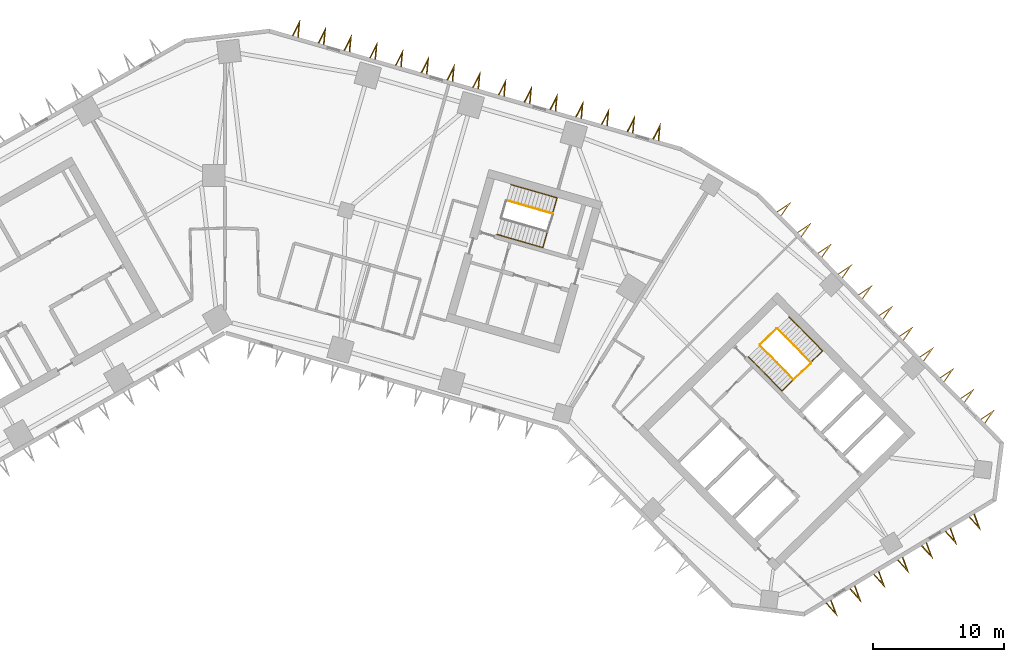
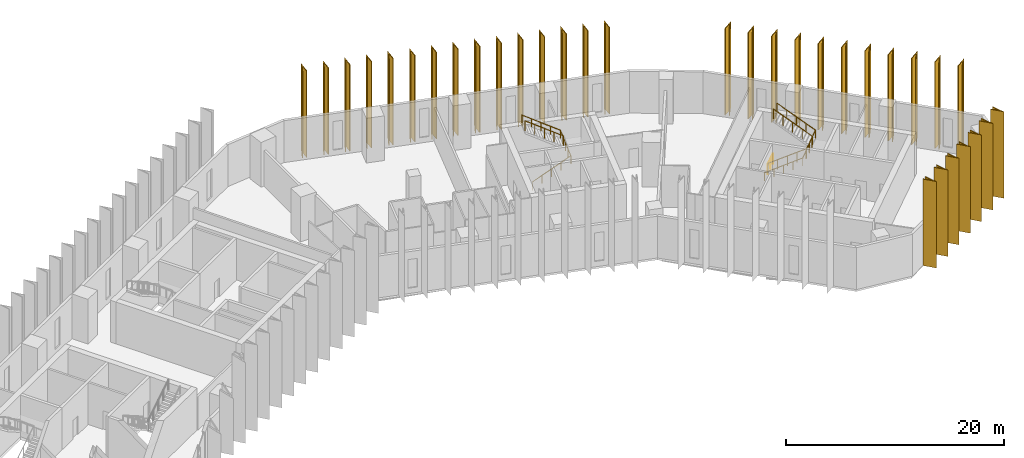
# One storey, part 11 of 11: 33 shading devices, 6 railings.
"""IFC4 building model written with IfcOpenShell, lengths in metres."""

from ifc_helpers import new_model, si_unit, direction, frame, origin, origin_2d, place, context, subcontext, project, spatial, polyline, circle, outline, extrude, material, type_object, element, save


model = new_model("IFC4")

# Units and contexts
model_context = context("Model", 3, precision=1e-05, world=origin(), true_north=direction((0.0, 1.0)))
body_context = subcontext(model_context, "Body", "Model", "MODEL_VIEW")
ifc_project = project(units=[si_unit("LENGTHUNIT", "METRE"), si_unit("AREAUNIT", "SQUARE_METRE"), si_unit("VOLUMEUNIT", "CUBIC_METRE"), si_unit("PLANEANGLEUNIT", "RADIAN"), si_unit("MASSUNIT", "GRAM", prefix="KILO")], contexts=[model_context])

# Site, building, storey
site_placement = place(None, origin())
site = spatial("IfcSite", under=ifc_project, at=site_placement, CompositionType="ELEMENT")
building_placement = place(site_placement, origin())
building = spatial("IfcBuilding", under=site, at=building_placement, Name="Binnacle Exchange Tower", CompositionType="ELEMENT")
storey_placement = place(building_placement, frame((0.0, 0.0, 66.5)))
storey = spatial("IfcBuildingStorey", under=building, at=storey_placement, Name="L13", CompositionType="ELEMENT", Elevation=66.5)

# Railings
ifc_material_1 = material(Name="Steel guard rail", Category="steel")
railing_type_1 = type_object("IfcRailingType", Name="STAIR GUARD 1100", PredefinedType="GUARDRAIL", material=ifc_material_1)
railing_1_placement = place(storey_placement, frame((40.822509765625, 47.046875, 0.178466796875)))
element("IfcRailing", 1, at=railing_1_placement, inside=storey, type_object=railing_type_1, Name="L13 STB1 stair guard 1", PredefinedType="GUARDRAIL", context=body_context, shape_type="SweptSolid", body=[
    extrude(circle(Radius=0.02392578125, at=origin_2d()), frame((0.0, 0.0, 1.076171875), z_axis=(0.590946962671, -0.60135215321, 0.537733461056), x_axis=(0.713250539553, 0.700909172309, 0.0)), (0.0, 0.0, 1.0), 4.317138671875),
    extrude(circle(Radius=0.02392578125, at=origin_2d()), frame((2.55126953125, -2.59619140625, 3.3974609375), z_axis=(0.732527851538, 0.680737061369, 0.0), x_axis=(-0.680737061369, 0.732527851538, 0.0)), (0.0, 0.0, 1.0), 1.80078125),
    extrude(circle(Radius=0.02099609375, at=origin_2d()), origin(), (0.0, 0.0, 1.0), 1.052001953125),
    extrude(circle(Radius=0.02099609375, at=origin_2d()), frame((0.6376953125, -0.64892578125, 0.580322265625)), (0.0, 0.0, 1.0), 1.052001953125),
    extrude(circle(Radius=0.02099609375, at=origin_2d()), frame((1.275634765625, -1.298095703125, 1.16064453125)), (0.0, 0.0, 1.0), 1.052001953125),
    extrude(circle(Radius=0.02099609375, at=origin_2d()), frame((1.91357421875, -1.947265625, 1.7412109375)), (0.0, 0.0, 1.0), 1.052001953125),
    extrude(circle(Radius=0.02099609375, at=origin_2d()), frame((2.55126953125, -2.59619140625, 2.321533203125)), (0.0, 0.0, 1.0), 1.052001953125),
    extrude(circle(Radius=0.02099609375, at=origin_2d()), frame((3.2109375, -1.9833984375, 2.321533203125)), (0.0, 0.0, 1.0), 1.052001953125),
    extrude(circle(Radius=0.02099609375, at=origin_2d()), frame((3.870361328125, -1.370361328125, 2.321533203125)), (0.0, 0.0, 1.0), 1.052001953125),
])
railing_2_placement = place(storey_placement, frame((44.693359375, 45.747314453125, 2.678466796875)))
element("IfcRailing", 2, at=railing_2_placement, inside=storey, type_object=railing_type_1, Name="L13 STB1 stair guard 2", PredefinedType="GUARDRAIL", context=body_context, shape_type="SweptSolid", body=[
    extrude(circle(Radius=0.02392578125, at=origin_2d()), frame((0.0, 0.0, 1.076171875), z_axis=(-0.590946962671, 0.60135215321, 0.537733461056), x_axis=(-0.713250539553, -0.700909172309, 0.0)), (0.0, 0.0, 1.0), 4.317138671875),
    extrude(circle(Radius=0.02099609375, at=origin_2d()), origin(), (0.0, 0.0, 1.0), 1.052001953125),
    extrude(circle(Radius=0.02099609375, at=origin_2d()), frame((-0.6376953125, 0.64892578125, 0.580322265625)), (0.0, 0.0, 1.0), 1.052001953125),
    extrude(circle(Radius=0.02099609375, at=origin_2d()), frame((-1.275634765625, 1.298095703125, 1.16064453125)), (0.0, 0.0, 1.0), 1.052001953125),
    extrude(circle(Radius=0.02099609375, at=origin_2d()), frame((-1.91357421875, 1.947265625, 1.7412109375)), (0.0, 0.0, 1.0), 1.052001953125),
    extrude(circle(Radius=0.02099609375, at=origin_2d()), frame((-2.55126953125, 2.59619140625, 2.321533203125)), (0.0, 0.0, 1.0), 1.052001953125),
])
railing_3_placement = place(storey_placement, frame((40.8232421875, 47.117431640625, 0.0)))
element("IfcRailing", 3, at=railing_3_placement, inside=storey, type_object=railing_type_1, Name="L13 STB1 stair guard 3", PredefinedType="GUARDRAIL", context=body_context, shape_type="SweptSolid", body=[
    extrude(circle(Radius=0.02392578125, at=origin_2d()), frame((0.0, 0.0, 1.076171875), z_axis=(0.713218950569, 0.700941316052, 0.0), x_axis=(-0.700941316052, 0.713218950569, 0.0)), (0.0, 0.0, 1.0), 1.75),
    extrude(circle(Radius=0.02099609375, at=origin_2d()), origin(), (0.0, 0.0, 1.0), 1.052001953125),
    extrude(circle(Radius=0.02099609375, at=origin_2d()), frame((0.6240234375, 0.61328125, 0.0)), (0.0, 0.0, 1.0), 1.052001953125),
    extrude(circle(Radius=0.02099609375, at=origin_2d()), frame((1.248046875, 1.2265625, 0.0)), (0.0, 0.0, 1.0), 1.052001953125),
])
railing_4_placement = place(storey_placement, frame((24.9853515625, 57.100830078125, 2.678466796875)))
element("IfcRailing", 4, at=railing_4_placement, inside=storey, type_object=railing_type_1, Name="L13 STD1 stair guard 2", PredefinedType="GUARDRAIL", context=body_context, shape_type="SweptSolid", body=[
    extrude(circle(Radius=0.02392578125, at=origin_2d()), frame((0.0, 0.0, 1.076171875), z_axis=(-0.810455892038, 0.232415135102, 0.537721537635), x_axis=(-0.275659984683, -0.961255206927, 0.0)), (0.0, 0.0, 1.0), 4.3173828125),
    extrude(circle(Radius=0.02099609375, at=origin_2d()), origin(), (0.0, 0.0, 1.0), 1.052001953125),
    extrude(circle(Radius=0.02099609375, at=origin_2d()), frame((-0.874755859375, 0.2509765625, 0.580322265625)), (0.0, 0.0, 1.0), 1.052001953125),
    extrude(circle(Radius=0.02099609375, at=origin_2d()), frame((-1.74951171875, 0.501708984375, 1.16064453125)), (0.0, 0.0, 1.0), 1.052001953125),
    extrude(circle(Radius=0.02099609375, at=origin_2d()), frame((-2.624267578125, 0.75244140625, 1.7412109375)), (0.0, 0.0, 1.0), 1.052001953125),
    extrude(circle(Radius=0.02099609375, at=origin_2d()), frame((-3.4990234375, 1.00341796875, 2.321533203125)), (0.0, 0.0, 1.0), 1.052001953125),
])
ifc_material_2 = material(Name="Steel handrail", Category="steel")
railing_type_2 = type_object("IfcRailingType", Name="STAIR HANDRAIL 900", PredefinedType="HANDRAIL", material=ifc_material_2)
railing_5_placement = place(storey_placement, frame((39.930908203125, 46.170654296875, 0.178466796875)))
element("IfcRailing", 5, at=railing_5_placement, inside=storey, type_object=railing_type_2, Name="L13 STB1 stair handrail 1", PredefinedType="HANDRAIL", context=body_context, shape_type="SweptSolid", body=[
    extrude(circle(Radius=0.02392578125, at=origin_2d()), frame((0.0, 0.0, 0.8759765625), z_axis=(0.590983762497, -0.601332057257, 0.53771549111), x_axis=(0.713217009097, 0.700943291525, 0.0)), (0.0, 0.0, 1.0), 4.3173828125),
    extrude(circle(Radius=0.02392578125, at=origin_2d()), frame((2.551513671875, -2.59619140625, 3.197265625), z_axis=(0.712654164256, 0.700316745611, 0.040993877406), x_axis=(-0.700905928746, 0.713253726978, 0.0)), (0.0, 0.0, 1.0), 4.353515625),
    extrude(circle(Radius=0.02392578125, at=origin_2d()), frame((5.654052734375, 0.45263671875, 3.3759765625), z_axis=(-0.590926866753, 0.601388251475, 0.537715174732), x_axis=(-0.713283488215, -0.700875641922, 0.0)), (0.0, 0.0, 1.0), 4.3173828125),
    extrude(circle(Radius=0.02099609375, at=origin_2d()), origin(), (0.0, 0.0, 1.0), 0.851806640625),
    extrude(circle(Radius=0.02099609375, at=origin_2d()), frame((0.637939453125, -0.64892578125, 0.580322265625)), (0.0, 0.0, 1.0), 0.851806640625),
    extrude(circle(Radius=0.02099609375, at=origin_2d()), frame((1.27587890625, -1.298095703125, 1.16064453125)), (0.0, 0.0, 1.0), 0.851806640625),
    extrude(circle(Radius=0.02099609375, at=origin_2d()), frame((1.91357421875, -1.947265625, 1.7412109375)), (0.0, 0.0, 1.0), 0.851806640625),
    extrude(circle(Radius=0.02099609375, at=origin_2d()), frame((2.551513671875, -2.59619140625, 2.321533203125)), (0.0, 0.0, 1.0), 0.851806640625),
    extrude(circle(Radius=0.02099609375, at=origin_2d()), frame((3.3271484375, -1.833984375, 2.3662109375)), (0.0, 0.0, 1.0), 0.851806640625),
    extrude(circle(Radius=0.02099609375, at=origin_2d()), frame((4.102783203125, -1.07177734375, 2.41064453125)), (0.0, 0.0, 1.0), 0.851806640625),
    extrude(circle(Radius=0.02099609375, at=origin_2d()), frame((4.87841796875, -0.3095703125, 2.455322265625)), (0.0, 0.0, 1.0), 0.851806640625),
    extrude(circle(Radius=0.02099609375, at=origin_2d()), frame((5.654052734375, 0.45263671875, 2.5)), (0.0, 0.0, 1.0), 0.851806640625),
    extrude(circle(Radius=0.02099609375, at=origin_2d()), frame((5.01611328125, 1.101806640625, 3.080322265625)), (0.0, 0.0, 1.0), 0.851806640625),
    extrude(circle(Radius=0.02099609375, at=origin_2d()), frame((4.37841796875, 1.7509765625, 3.66064453125)), (0.0, 0.0, 1.0), 0.851806640625),
    extrude(circle(Radius=0.02099609375, at=origin_2d()), frame((3.74072265625, 2.39990234375, 4.2412109375)), (0.0, 0.0, 1.0), 0.851806640625),
    extrude(circle(Radius=0.02099609375, at=origin_2d()), frame((3.102783203125, 3.049072265625, 4.821533203125)), (0.0, 0.0, 1.0), 0.851806640625),
])
railing_6_placement = place(storey_placement, frame((20.7421875, 55.5087890625, 0.178466796875)))
element("IfcRailing", 6, at=railing_6_placement, inside=storey, type_object=railing_type_2, Name="L13 STD1 stair handrail 1", PredefinedType="HANDRAIL", context=body_context, shape_type="SweptSolid", body=[
    extrude(circle(Radius=0.02392578125, at=origin_2d()), frame((0.0, 0.0, 0.8759765625), z_axis=(0.810436485383, -0.2324257871, 0.537746182368), x_axis=(0.27567775811, 0.961250109848, 0.0)), (0.0, 0.0, 1.0), 4.317138671875),
    extrude(circle(Radius=0.02392578125, at=origin_2d()), frame((3.498779296875, -1.00341796875, 3.197265625), z_axis=(0.275370676617, 0.960278056821, 0.045133624351), x_axis=(-0.961257617982, 0.275651576943, 0.0)), (0.0, 0.0, 1.0), 3.9541015625),
    extrude(circle(Radius=0.02392578125, at=origin_2d()), frame((4.587646484375, 2.793701171875, 3.3759765625), z_axis=(-0.810466542589, 0.232361639932, 0.537728604067), x_axis=(-0.275598008994, -0.961272977587, 0.0)), (0.0, 0.0, 1.0), 4.3173828125),
    extrude(circle(Radius=0.02099609375, at=origin_2d()), origin(), (0.0, 0.0, 1.0), 0.851806640625),
    extrude(circle(Radius=0.02099609375, at=origin_2d()), frame((0.874755859375, -0.2509765625, 0.580322265625)), (0.0, 0.0, 1.0), 0.851806640625),
    extrude(circle(Radius=0.02099609375, at=origin_2d()), frame((1.74951171875, -0.501708984375, 1.16064453125)), (0.0, 0.0, 1.0), 0.851806640625),
    extrude(circle(Radius=0.02099609375, at=origin_2d()), frame((2.6240234375, -0.75244140625, 1.7412109375)), (0.0, 0.0, 1.0), 0.851806640625),
    extrude(circle(Radius=0.02099609375, at=origin_2d()), frame((3.498779296875, -1.00341796875, 2.321533203125)), (0.0, 0.0, 1.0), 0.851806640625),
    extrude(circle(Radius=0.02099609375, at=origin_2d()), frame((3.77099609375, -0.05419921875, 2.3662109375)), (0.0, 0.0, 1.0), 0.851806640625),
    extrude(circle(Radius=0.02099609375, at=origin_2d()), frame((4.043212890625, 0.89501953125, 2.41064453125)), (0.0, 0.0, 1.0), 0.851806640625),
    extrude(circle(Radius=0.02099609375, at=origin_2d()), frame((4.3154296875, 1.844482421875, 2.455322265625)), (0.0, 0.0, 1.0), 0.851806640625),
    extrude(circle(Radius=0.02099609375, at=origin_2d()), frame((4.587646484375, 2.793701171875, 2.5)), (0.0, 0.0, 1.0), 0.851806640625),
    extrude(circle(Radius=0.02099609375, at=origin_2d()), frame((3.712890625, 3.04443359375, 3.080322265625)), (0.0, 0.0, 1.0), 0.851806640625),
    extrude(circle(Radius=0.02099609375, at=origin_2d()), frame((2.838134765625, 3.29541015625, 3.66064453125)), (0.0, 0.0, 1.0), 0.851806640625),
    extrude(circle(Radius=0.02099609375, at=origin_2d()), frame((1.96337890625, 3.546142578125, 4.2412109375)), (0.0, 0.0, 1.0), 0.851806640625),
    extrude(circle(Radius=0.02099609375, at=origin_2d()), frame((1.088623046875, 3.796875, 4.821533203125)), (0.0, 0.0, 1.0), 0.851806640625),
])

# Shading devices
ifc_material_3 = material(Name="Bronze aluminium cladding", Category="aluminium")
shading_device_type = type_object("IfcShadingDeviceType", Name="V FIN 1300 DEEP x 9680 HIGH", PredefinedType="USERDEFINED", material=ifc_material_3)
shading_device_1_placement = place(storey_placement, origin())
element("IfcShadingDevice", 7, at=shading_device_1_placement, inside=storey, type_object=shading_device_type, Name="V fin FN-F01-01 L13", ObjectType="FIN", PredefinedType="USERDEFINED", context=body_context, shape_type="SweptSolid", body=[
    extrude(outline(polyline([(33.107421875, 62.66259765625), (33.225341796875, 63.981201171875), (32.626708984375, 62.800537109375), (32.705078125, 62.778076171875), (33.108642578125, 63.573974609375), (33.029052734375, 62.68505859375), (33.107421875, 62.66259765625)])), origin(), (0.0, 0.0, 1.0), 9.679931640625),
])
shading_device_2_placement = place(storey_placement, origin())
element("IfcShadingDevice", 8, at=shading_device_2_placement, inside=storey, type_object=shading_device_type, Name="V fin FN-F01-02 L13", ObjectType="FIN", PredefinedType="USERDEFINED", context=body_context, shape_type="SweptSolid", body=[
    extrude(outline(polyline([(31.143310546875, 63.225830078125), (31.26123046875, 64.54443359375), (30.66259765625, 63.36376953125), (30.740966796875, 63.34130859375), (31.14453125, 64.13720703125), (31.06494140625, 63.248291015625), (31.143310546875, 63.225830078125)])), origin(), (0.0, 0.0, 1.0), 9.679931640625),
])
shading_device_3_placement = place(storey_placement, origin())
element("IfcShadingDevice", 9, at=shading_device_3_placement, inside=storey, type_object=shading_device_type, Name="V fin FN-F01-03 L13", ObjectType="FIN", PredefinedType="USERDEFINED", context=body_context, shape_type="SweptSolid", body=[
    extrude(outline(polyline([(29.17919921875, 63.7890625), (29.297119140625, 65.107666015625), (28.698486328125, 63.927001953125), (28.77685546875, 63.904541015625), (29.180419921875, 64.700439453125), (29.100830078125, 63.8115234375), (29.17919921875, 63.7890625)])), origin(), (0.0, 0.0, 1.0), 9.679931640625),
])
shading_device_4_placement = place(storey_placement, origin())
element("IfcShadingDevice", 10, at=shading_device_4_placement, inside=storey, type_object=shading_device_type, Name="V fin FN-F01-04 L13", ObjectType="FIN", PredefinedType="USERDEFINED", context=body_context, shape_type="SweptSolid", body=[
    extrude(outline(polyline([(27.215087890625, 64.352294921875), (27.3330078125, 65.6708984375), (26.734619140625, 64.489990234375), (26.812744140625, 64.4677734375), (27.21630859375, 65.263671875), (27.13671875, 64.374755859375), (27.215087890625, 64.352294921875)])), origin(), (0.0, 0.0, 1.0), 9.679931640625),
])
shading_device_5_placement = place(storey_placement, origin())
element("IfcShadingDevice", 11, at=shading_device_5_placement, inside=storey, type_object=shading_device_type, Name="V fin FN-F01-05 L13", ObjectType="FIN", PredefinedType="USERDEFINED", context=body_context, shape_type="SweptSolid", body=[
    extrude(outline(polyline([(25.2509765625, 64.91552734375), (25.368896484375, 66.23388671875), (24.7705078125, 65.05322265625), (24.8486328125, 65.031005859375), (25.252197265625, 65.826904296875), (25.172607421875, 64.93798828125), (25.2509765625, 64.91552734375)])), origin(), (0.0, 0.0, 1.0), 9.679931640625),
])
shading_device_6_placement = place(storey_placement, origin())
element("IfcShadingDevice", 12, at=shading_device_6_placement, inside=storey, type_object=shading_device_type, Name="V fin FN-F01-06 L13", ObjectType="FIN", PredefinedType="USERDEFINED", context=body_context, shape_type="SweptSolid", body=[
    extrude(outline(polyline([(23.287109375, 65.478515625), (23.405029296875, 66.797119140625), (22.806396484375, 65.616455078125), (22.884765625, 65.593994140625), (23.288330078125, 66.389892578125), (23.208740234375, 65.5009765625), (23.287109375, 65.478515625)])), origin(), (0.0, 0.0, 1.0), 9.679931640625),
])
shading_device_7_placement = place(storey_placement, origin())
element("IfcShadingDevice", 13, at=shading_device_7_placement, inside=storey, type_object=shading_device_type, Name="V fin FN-F01-07 L13", ObjectType="FIN", PredefinedType="USERDEFINED", context=body_context, shape_type="SweptSolid", body=[
    extrude(outline(polyline([(21.32275390625, 66.041748046875), (21.44091796875, 67.3603515625), (20.84228515625, 66.1796875), (20.92041015625, 66.1572265625), (21.32421875, 66.953125), (21.244384765625, 66.064208984375), (21.32275390625, 66.041748046875)])), origin(), (0.0, 0.0, 1.0), 9.679931640625),
])
shading_device_8_placement = place(storey_placement, origin())
element("IfcShadingDevice", 14, at=shading_device_8_placement, inside=storey, type_object=shading_device_type, Name="V fin FN-F01-08 L13", ObjectType="FIN", PredefinedType="USERDEFINED", context=body_context, shape_type="SweptSolid", body=[
    extrude(outline(polyline([(19.35888671875, 66.60498046875), (19.476806640625, 67.923583984375), (18.878173828125, 66.742919921875), (18.95654296875, 66.720458984375), (19.360107421875, 67.516357421875), (19.280517578125, 66.62744140625), (19.35888671875, 66.60498046875)])), origin(), (0.0, 0.0, 1.0), 9.679931640625),
])
shading_device_9_placement = place(storey_placement, origin())
element("IfcShadingDevice", 15, at=shading_device_9_placement, inside=storey, type_object=shading_device_type, Name="V fin FN-F01-09 L13", ObjectType="FIN", PredefinedType="USERDEFINED", context=body_context, shape_type="SweptSolid", body=[
    extrude(outline(polyline([(17.394775390625, 67.168212890625), (17.5126953125, 68.48681640625), (16.9140625, 67.305908203125), (16.992431640625, 67.28369140625), (17.39599609375, 68.07958984375), (17.31640625, 67.190673828125), (17.394775390625, 67.168212890625)])), origin(), (0.0, 0.0, 1.0), 9.679931640625),
])
shading_device_10_placement = place(storey_placement, origin())
element("IfcShadingDevice", 16, at=shading_device_10_placement, inside=storey, type_object=shading_device_type, Name="V fin FN-F01-10 L13", ObjectType="FIN", PredefinedType="USERDEFINED", context=body_context, shape_type="SweptSolid", body=[
    extrude(outline(polyline([(15.4306640625, 67.7314453125), (15.548583984375, 69.0498046875), (14.949951171875, 67.869140625), (15.0283203125, 67.8466796875), (15.431884765625, 68.642578125), (15.352294921875, 67.75390625), (15.4306640625, 67.7314453125)])), origin(), (0.0, 0.0, 1.0), 9.679931640625),
])
shading_device_11_placement = place(storey_placement, origin())
element("IfcShadingDevice", 17, at=shading_device_11_placement, inside=storey, type_object=shading_device_type, Name="V fin FN-F01-11 L13", ObjectType="FIN", PredefinedType="USERDEFINED", context=body_context, shape_type="SweptSolid", body=[
    extrude(outline(polyline([(13.466552734375, 68.294677734375), (13.58447265625, 69.613037109375), (12.98583984375, 68.432373046875), (13.064208984375, 68.409912109375), (13.4677734375, 69.205810546875), (13.38818359375, 68.31689453125), (13.466552734375, 68.294677734375)])), origin(), (0.0, 0.0, 1.0), 9.679931640625),
])
shading_device_12_placement = place(storey_placement, origin())
element("IfcShadingDevice", 18, at=shading_device_12_placement, inside=storey, type_object=shading_device_type, Name="V fin FN-F01-12 L13", ObjectType="FIN", PredefinedType="USERDEFINED", context=body_context, shape_type="SweptSolid", body=[
    extrude(outline(polyline([(11.50244140625, 68.85791015625), (11.620361328125, 70.17626953125), (11.021728515625, 68.99560546875), (11.10009765625, 68.97314453125), (11.503662109375, 69.76904296875), (11.424072265625, 68.880126953125), (11.50244140625, 68.85791015625)])), origin(), (0.0, 0.0, 1.0), 9.679931640625),
])
shading_device_13_placement = place(storey_placement, origin())
element("IfcShadingDevice", 19, at=shading_device_13_placement, inside=storey, type_object=shading_device_type, Name="V fin FN-F01-13 L13", ObjectType="FIN", PredefinedType="USERDEFINED", context=body_context, shape_type="SweptSolid", body=[
    extrude(outline(polyline([(9.538330078125, 69.4208984375), (9.65625, 70.739501953125), (9.0576171875, 69.558837890625), (9.135986328125, 69.536376953125), (9.53955078125, 70.332275390625), (9.4599609375, 69.443359375), (9.538330078125, 69.4208984375)])), origin(), (0.0, 0.0, 1.0), 9.679931640625),
])
shading_device_14_placement = place(storey_placement, origin())
element("IfcShadingDevice", 20, at=shading_device_14_placement, inside=storey, type_object=shading_device_type, Name="V fin FN-F01-14 L13", ObjectType="FIN", PredefinedType="USERDEFINED", context=body_context, shape_type="SweptSolid", body=[
    extrude(outline(polyline([(7.57421875, 69.984130859375), (7.6923828125, 71.302734375), (7.09375, 70.1220703125), (7.172119140625, 70.099609375), (7.57568359375, 70.8955078125), (7.49609375, 70.006591796875), (7.57421875, 69.984130859375)])), origin(), (0.0, 0.0, 1.0), 9.679931640625),
])
shading_device_15_placement = place(storey_placement, origin())
element("IfcShadingDevice", 21, at=shading_device_15_placement, inside=storey, type_object=shading_device_type, Name="V fin FN-F01-15 L13", ObjectType="FIN", PredefinedType="USERDEFINED", context=body_context, shape_type="SweptSolid", body=[
    extrude(outline(polyline([(5.610107421875, 70.54736328125), (5.72802734375, 71.865966796875), (5.12939453125, 70.685302734375), (5.207763671875, 70.662841796875), (5.611328125, 71.458740234375), (5.53173828125, 70.56982421875), (5.610107421875, 70.54736328125)])), origin(), (0.0, 0.0, 1.0), 9.679931640625),
])
shading_device_16_placement = place(storey_placement, origin())
element("IfcShadingDevice", 22, at=shading_device_16_placement, inside=storey, type_object=shading_device_type, Name="V fin FN-F11-01 L13", ObjectType="FIN", PredefinedType="USERDEFINED", context=body_context, shape_type="SweptSolid", body=[
    extrude(outline(polyline([(45.82861328125, 27.361572265625), (46.71240234375, 26.376220703125), (46.257080078125, 27.619140625), (46.187255859375, 27.5771484375), (46.494140625, 26.7392578125), (45.898193359375, 27.403564453125), (45.82861328125, 27.361572265625)])), origin(), (0.0, 0.0, 1.0), 9.679931640625),
])
shading_device_17_placement = place(storey_placement, origin())
element("IfcShadingDevice", 23, at=shading_device_17_placement, inside=storey, type_object=shading_device_type, Name="V fin FN-F11-02 L13", ObjectType="FIN", PredefinedType="USERDEFINED", context=body_context, shape_type="SweptSolid", body=[
    extrude(outline(polyline([(47.64990234375, 28.4560546875), (48.53369140625, 27.470458984375), (48.07861328125, 28.713623046875), (48.0087890625, 28.671630859375), (48.315673828125, 27.83349609375), (47.7197265625, 28.498046875), (47.64990234375, 28.4560546875)])), origin(), (0.0, 0.0, 1.0), 9.679931640625),
])
shading_device_18_placement = place(storey_placement, origin())
element("IfcShadingDevice", 24, at=shading_device_18_placement, inside=storey, type_object=shading_device_type, Name="V fin FN-F11-03 L13", ObjectType="FIN", PredefinedType="USERDEFINED", context=body_context, shape_type="SweptSolid", body=[
    extrude(outline(polyline([(49.471435546875, 29.550537109375), (50.355224609375, 28.56494140625), (49.900146484375, 29.80810546875), (49.830322265625, 29.76611328125), (50.13720703125, 28.927978515625), (49.541259765625, 29.592529296875), (49.471435546875, 29.550537109375)])), origin(), (0.0, 0.0, 1.0), 9.679931640625),
])
shading_device_19_placement = place(storey_placement, origin())
element("IfcShadingDevice", 25, at=shading_device_19_placement, inside=storey, type_object=shading_device_type, Name="V fin FN-F11-04 L13", ObjectType="FIN", PredefinedType="USERDEFINED", context=body_context, shape_type="SweptSolid", body=[
    extrude(outline(polyline([(51.29296875, 30.64501953125), (52.1767578125, 29.659423828125), (51.7216796875, 30.902587890625), (51.65185546875, 30.860595703125), (51.958740234375, 30.0224609375), (51.36279296875, 30.68701171875), (51.29296875, 30.64501953125)])), origin(), (0.0, 0.0, 1.0), 9.679931640625),
])
shading_device_20_placement = place(storey_placement, origin())
element("IfcShadingDevice", 26, at=shading_device_20_placement, inside=storey, type_object=shading_device_type, Name="V fin FN-F11-05 L13", ObjectType="FIN", PredefinedType="USERDEFINED", context=body_context, shape_type="SweptSolid", body=[
    extrude(outline(polyline([(53.114501953125, 31.739501953125), (53.998291015625, 30.75390625), (53.543212890625, 31.9970703125), (53.473388671875, 31.955078125), (53.7802734375, 31.116943359375), (53.184326171875, 31.781494140625), (53.114501953125, 31.739501953125)])), origin(), (0.0, 0.0, 1.0), 9.679931640625),
])
shading_device_21_placement = place(storey_placement, origin())
element("IfcShadingDevice", 27, at=shading_device_21_placement, inside=storey, type_object=shading_device_type, Name="V fin FN-F11-06 L13", ObjectType="FIN", PredefinedType="USERDEFINED", context=body_context, shape_type="SweptSolid", body=[
    extrude(outline(polyline([(54.935791015625, 32.833984375), (55.819580078125, 31.848388671875), (55.364501953125, 33.091552734375), (55.294677734375, 33.049560546875), (55.6015625, 32.21142578125), (55.005615234375, 32.8759765625), (54.935791015625, 32.833984375)])), origin(), (0.0, 0.0, 1.0), 9.679931640625),
])
shading_device_22_placement = place(storey_placement, origin())
element("IfcShadingDevice", 28, at=shading_device_22_placement, inside=storey, type_object=shading_device_type, Name="V fin FN-F11-07 L13", ObjectType="FIN", PredefinedType="USERDEFINED", context=body_context, shape_type="SweptSolid", body=[
    extrude(outline(polyline([(56.75732421875, 33.92822265625), (57.64111328125, 32.94287109375), (57.18603515625, 34.185791015625), (57.1162109375, 34.143798828125), (57.423095703125, 33.305908203125), (56.8271484375, 33.97021484375), (56.75732421875, 33.92822265625)])), origin(), (0.0, 0.0, 1.0), 9.679931640625),
])
shading_device_23_placement = place(storey_placement, origin())
element("IfcShadingDevice", 29, at=shading_device_23_placement, inside=storey, type_object=shading_device_type, Name="V fin FN-F13-01 L13", ObjectType="FIN", PredefinedType="USERDEFINED", context=body_context, shape_type="SweptSolid", body=[
    extrude(outline(polyline([(57.990478515625, 41.087890625), (58.742431640625, 42.177490234375), (57.64013671875, 41.444580078125), (57.697265625, 41.386474609375), (58.4404296875, 41.880615234375), (57.933349609375, 41.14599609375), (57.990478515625, 41.087890625)])), origin(), (0.0, 0.0, 1.0), 9.679931640625),
])
shading_device_24_placement = place(storey_placement, origin())
element("IfcShadingDevice", 30, at=shading_device_24_placement, inside=storey, type_object=shading_device_type, Name="V fin FN-F13-02 L13", ObjectType="FIN", PredefinedType="USERDEFINED", context=body_context, shape_type="SweptSolid", body=[
    extrude(outline(polyline([(56.435791015625, 42.669921875), (57.18798828125, 43.759521484375), (56.08544921875, 43.026611328125), (56.142578125, 42.968505859375), (56.8857421875, 43.46240234375), (56.37890625, 42.72802734375), (56.435791015625, 42.669921875)])), origin(), (0.0, 0.0, 1.0), 9.679931640625),
])
shading_device_25_placement = place(storey_placement, origin())
element("IfcShadingDevice", 31, at=shading_device_25_placement, inside=storey, type_object=shading_device_type, Name="V fin FN-F13-03 L13", ObjectType="FIN", PredefinedType="USERDEFINED", context=body_context, shape_type="SweptSolid", body=[
    extrude(outline(polyline([(54.881103515625, 44.251953125), (55.63330078125, 45.34130859375), (54.53076171875, 44.6083984375), (54.587890625, 44.55029296875), (55.3310546875, 45.04443359375), (54.82421875, 44.31005859375), (54.881103515625, 44.251953125)])), origin(), (0.0, 0.0, 1.0), 9.679931640625),
])
shading_device_26_placement = place(storey_placement, origin())
element("IfcShadingDevice", 32, at=shading_device_26_placement, inside=storey, type_object=shading_device_type, Name="V fin FN-F13-04 L13", ObjectType="FIN", PredefinedType="USERDEFINED", context=body_context, shape_type="SweptSolid", body=[
    extrude(outline(polyline([(53.32666015625, 45.833984375), (54.07861328125, 46.92333984375), (52.976318359375, 46.1904296875), (53.033203125, 46.13232421875), (53.776611328125, 46.62646484375), (53.26953125, 45.89208984375), (53.32666015625, 45.833984375)])), origin(), (0.0, 0.0, 1.0), 9.679931640625),
])
shading_device_27_placement = place(storey_placement, origin())
element("IfcShadingDevice", 33, at=shading_device_27_placement, inside=storey, type_object=shading_device_type, Name="V fin FN-F13-05 L13", ObjectType="FIN", PredefinedType="USERDEFINED", context=body_context, shape_type="SweptSolid", body=[
    extrude(outline(polyline([(51.77197265625, 47.416015625), (52.52392578125, 48.50537109375), (51.421630859375, 47.7724609375), (51.478759765625, 47.71435546875), (52.221923828125, 48.20849609375), (51.71484375, 47.47412109375), (51.77197265625, 47.416015625)])), origin(), (0.0, 0.0, 1.0), 9.679931640625),
])
shading_device_28_placement = place(storey_placement, origin())
element("IfcShadingDevice", 34, at=shading_device_28_placement, inside=storey, type_object=shading_device_type, Name="V fin FN-F13-06 L13", ObjectType="FIN", PredefinedType="USERDEFINED", context=body_context, shape_type="SweptSolid", body=[
    extrude(outline(polyline([(50.21728515625, 48.997802734375), (50.969482421875, 50.08740234375), (49.866943359375, 49.3544921875), (49.924072265625, 49.29638671875), (50.667236328125, 49.79052734375), (50.160400390625, 49.055908203125), (50.21728515625, 48.997802734375)])), origin(), (0.0, 0.0, 1.0), 9.679931640625),
])
shading_device_29_placement = place(storey_placement, origin())
element("IfcShadingDevice", 35, at=shading_device_29_placement, inside=storey, type_object=shading_device_type, Name="V fin FN-F13-07 L13", ObjectType="FIN", PredefinedType="USERDEFINED", context=body_context, shape_type="SweptSolid", body=[
    extrude(outline(polyline([(48.66259765625, 50.579833984375), (49.414794921875, 51.66943359375), (48.312255859375, 50.9365234375), (48.369384765625, 50.87841796875), (49.112548828125, 51.37255859375), (48.605712890625, 50.637939453125), (48.66259765625, 50.579833984375)])), origin(), (0.0, 0.0, 1.0), 9.679931640625),
])
shading_device_30_placement = place(storey_placement, origin())
element("IfcShadingDevice", 36, at=shading_device_30_placement, inside=storey, type_object=shading_device_type, Name="V fin FN-F13-08 L13", ObjectType="FIN", PredefinedType="USERDEFINED", context=body_context, shape_type="SweptSolid", body=[
    extrude(outline(polyline([(47.108154296875, 52.161865234375), (47.860107421875, 53.25146484375), (46.7578125, 52.5185546875), (46.814697265625, 52.46044921875), (47.55810546875, 52.95458984375), (47.051025390625, 52.219970703125), (47.108154296875, 52.161865234375)])), origin(), (0.0, 0.0, 1.0), 9.679931640625),
])
shading_device_31_placement = place(storey_placement, origin())
element("IfcShadingDevice", 37, at=shading_device_31_placement, inside=storey, type_object=shading_device_type, Name="V fin FN-F13-09 L13", ObjectType="FIN", PredefinedType="USERDEFINED", context=body_context, shape_type="SweptSolid", body=[
    extrude(outline(polyline([(45.553466796875, 53.743896484375), (46.305419921875, 54.83349609375), (45.203125, 54.1005859375), (45.26025390625, 54.04248046875), (46.00341796875, 54.53662109375), (45.496337890625, 53.802001953125), (45.553466796875, 53.743896484375)])), origin(), (0.0, 0.0, 1.0), 9.679931640625),
])
shading_device_32_placement = place(storey_placement, origin())
element("IfcShadingDevice", 38, at=shading_device_32_placement, inside=storey, type_object=shading_device_type, Name="V fin FN-F13-10 L13", ObjectType="FIN", PredefinedType="USERDEFINED", context=body_context, shape_type="SweptSolid", body=[
    extrude(outline(polyline([(43.998779296875, 55.325927734375), (44.7509765625, 56.415283203125), (43.6484375, 55.6826171875), (43.70556640625, 55.62451171875), (44.44873046875, 56.118408203125), (43.94189453125, 55.384033203125), (43.998779296875, 55.325927734375)])), origin(), (0.0, 0.0, 1.0), 9.679931640625),
])
shading_device_33_placement = place(storey_placement, origin())
element("IfcShadingDevice", 39, at=shading_device_33_placement, inside=storey, type_object=shading_device_type, Name="V fin FN-F13-11 L13", ObjectType="FIN", PredefinedType="USERDEFINED", context=body_context, shape_type="SweptSolid", body=[
    extrude(outline(polyline([(42.444091796875, 56.907958984375), (43.1962890625, 57.997314453125), (42.09375, 57.264404296875), (42.15087890625, 57.206298828125), (42.89404296875, 57.700439453125), (42.38720703125, 56.966064453125), (42.444091796875, 56.907958984375)])), origin(), (0.0, 0.0, 1.0), 9.679931640625),
])

save(model, "model.ifc")
